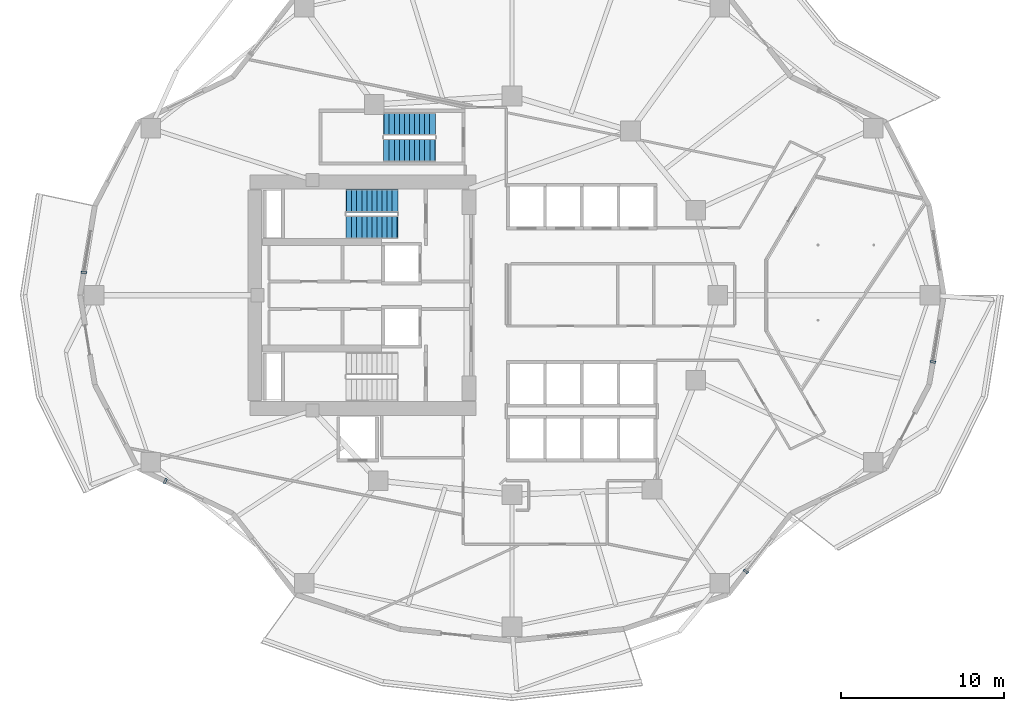
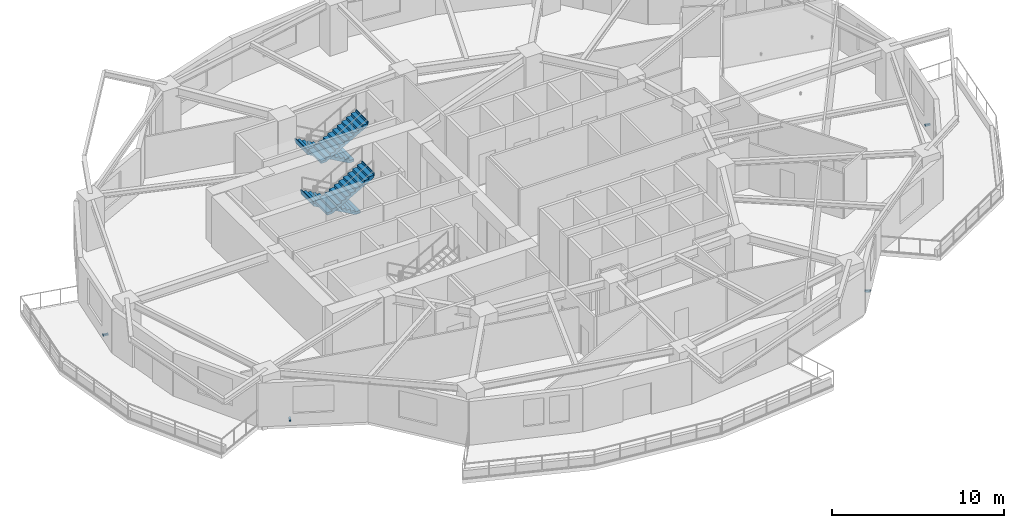
# One storey, part 7 of 14: 4 discrete accessories, 4 stair flights, 2 elements without a shape of their own.
"""IFC4 building model written with IfcOpenShell, lengths in metres."""

from ifc_helpers import new_model, si_unit, direction, frame, origin, origin_2d, place, context, subcontext, project, spatial, polyline, rectangle, outline, extrude, material, type_object, element, aggregate, save


model = new_model("IFC4")

# Units and contexts
model_context = context("Model", 3, precision=1e-05, world=origin(), true_north=direction((0.0, 1.0)))
body_context = subcontext(model_context, "Body", "Model", "MODEL_VIEW")
ifc_project = project(units=[si_unit("LENGTHUNIT", "METRE"), si_unit("AREAUNIT", "SQUARE_METRE"), si_unit("VOLUMEUNIT", "CUBIC_METRE"), si_unit("PLANEANGLEUNIT", "RADIAN"), si_unit("MASSUNIT", "GRAM", prefix="KILO")], contexts=[model_context])

# Site, building, storey
site_placement = place(None, origin())
site = spatial("IfcSite", under=ifc_project, at=site_placement, CompositionType="ELEMENT")
building_placement = place(site_placement, origin())
building = spatial("IfcBuilding", under=site, at=building_placement, Name="Kolvaren Gate Tower and Convention Centre", CompositionType="ELEMENT")
storey_placement = place(building_placement, frame((0.0, 0.0, 57.300048828125)))
storey = spatial("IfcBuildingStorey", under=building, at=storey_placement, Name="L13", CompositionType="ELEMENT", Elevation=57.300048828125)

# Stair, stair flights
ifc_material_1 = material(Name="Concrete C50/60", Category="concrete")
stair_type = type_object("IfcStairType", Name="STR-STAIR-CORE", PredefinedType="HALF_TURN_STAIR", material=ifc_material_1)
stair_1_placement = place(storey_placement, origin())
stair_1 = element("IfcStair", 1, at=stair_1_placement, inside=storey, type_object=stair_type, Name="L13 Tower North Exit Stair ST-T1", PredefinedType="HALF_TURN_STAIR")
stair_flight_type = type_object("IfcStairFlightType", Name="STR-SFL-1420", PredefinedType="STRAIGHT", material=ifc_material_1)
stair_flight_1_placement = place(storey_placement, frame((23.10009765625, 32.7900390625, 0.0), z_axis=(0.0, 0.0, 1.0), x_axis=(-1.0, 0.0, 0.0)))
stair_flight_1 = element("IfcStairFlight", 2, at=stair_flight_1_placement, type_object=stair_flight_type, Name="ST-T1 flight 1", NumberOfRisers=11, NumberOfTreads=10, PredefinedType="STRAIGHT", RiserHeight=0.175, TreadLength=0.31, context=body_context, shape_type="SweptSolid", body=[
    extrude(outline(polyline([(-0.034912109375, 0.0), (-0.034912109375, 0.175048828125), (0.31005859375, 0.175048828125), (0.31005859375, 0.35009765625), (0.6201171875, 0.35009765625), (0.6201171875, 0.52490234375), (0.929931640625, 0.52490234375), (0.929931640625, 0.699951171875), (1.239990234375, 0.699951171875), (1.239990234375, 0.875), (1.550048828125, 0.875), (1.550048828125, 1.050048828125), (1.860107421875, 1.050048828125), (1.860107421875, 1.22509765625), (2.169921875, 1.22509765625), (2.169921875, 1.39990234375), (2.47998046875, 1.39990234375), (2.47998046875, 1.574951171875), (2.7900390625, 1.574951171875), (2.7900390625, 1.75), (3.10009765625, 1.75), (3.10009765625, 1.925048828125), (3.14501953125, 1.925048828125), (3.14501953125, 1.764892578125), (3.10009765625, 1.577880859375), (0.304931640625, 0.0), (-0.034912109375, 0.0)])), frame((0.0, 0.7099609375, 0.0), z_axis=(0.0, -1.0, 0.0), x_axis=(1.0, 0.0, 0.0)), (0.0, 0.0, 1.0), 1.419921875),
])
stair_flight_2_placement = place(storey_placement, frame((20.0, 31.169921875, 1.925048828125), z_axis=(0.0, 0.0, 1.0), x_axis=(1.0, 0.0, 0.0)))
stair_flight_2 = element("IfcStairFlight", 3, at=stair_flight_2_placement, type_object=stair_flight_type, Name="ST-T1 flight 2", NumberOfRisers=11, NumberOfTreads=10, PredefinedType="STRAIGHT", RiserHeight=0.175, TreadLength=0.31, context=body_context, shape_type="SweptSolid", body=[
    extrude(outline(polyline([(-0.034912109375, 0.0), (-0.034912109375, 0.175048828125), (0.31005859375, 0.175048828125), (0.31005859375, 0.35009765625), (0.6201171875, 0.35009765625), (0.6201171875, 0.52490234375), (0.929931640625, 0.52490234375), (0.929931640625, 0.699951171875), (1.239990234375, 0.699951171875), (1.239990234375, 0.875), (1.550048828125, 0.875), (1.550048828125, 1.050048828125), (1.860107421875, 1.050048828125), (1.860107421875, 1.22509765625), (2.169921875, 1.22509765625), (2.169921875, 1.39990234375), (2.47998046875, 1.39990234375), (2.47998046875, 1.574951171875), (2.7900390625, 1.574951171875), (2.7900390625, 1.75), (3.10009765625, 1.75), (3.10009765625, 1.925048828125), (3.14501953125, 1.925048828125), (3.14501953125, 1.764892578125), (3.10009765625, 1.577880859375), (0.304931640625, 0.0), (-0.034912109375, 0.0)])), frame((0.0, 0.7099609375, 0.0), z_axis=(0.0, -1.0, 0.0), x_axis=(1.0, 0.0, 0.0)), (0.0, 0.0, 1.0), 1.419921875),
])
aggregate(stair_1, [stair_flight_1, stair_flight_2])

stair_2_placement = place(storey_placement, origin())
stair_2 = element("IfcStair", 4, at=stair_2_placement, inside=storey, type_object=stair_type, Name="L13 Tower Mid-Zone Exit Stair ST-T3", PredefinedType="HALF_TURN_STAIR")
stair_flight_3_placement = place(storey_placement, frame((25.39990234375, 37.489990234375, 0.0), z_axis=(0.0, 0.0, 1.0), x_axis=(-1.0, 0.0, 0.0)))
stair_flight_3 = element("IfcStairFlight", 5, at=stair_flight_3_placement, type_object=stair_flight_type, Name="ST-T3 flight 1", NumberOfRisers=11, NumberOfTreads=10, PredefinedType="STRAIGHT", RiserHeight=0.175, TreadLength=0.31, context=body_context, shape_type="SweptSolid", body=[
    extrude(outline(polyline([(-0.034912109375, 0.0), (-0.034912109375, 0.175048828125), (0.31005859375, 0.175048828125), (0.31005859375, 0.35009765625), (0.6201171875, 0.35009765625), (0.6201171875, 0.52490234375), (0.929931640625, 0.52490234375), (0.929931640625, 0.699951171875), (1.239990234375, 0.699951171875), (1.239990234375, 0.875), (1.550048828125, 0.875), (1.550048828125, 1.050048828125), (1.860107421875, 1.050048828125), (1.860107421875, 1.22509765625), (2.169921875, 1.22509765625), (2.169921875, 1.39990234375), (2.47998046875, 1.39990234375), (2.47998046875, 1.574951171875), (2.7900390625, 1.574951171875), (2.7900390625, 1.75), (3.10009765625, 1.75), (3.10009765625, 1.925048828125), (3.14501953125, 1.925048828125), (3.14501953125, 1.764892578125), (3.10009765625, 1.577880859375), (0.304931640625, 0.0), (-0.034912109375, 0.0)])), frame((0.0, 0.7099609375, 0.0), z_axis=(0.0, -1.0, 0.0), x_axis=(1.0, 0.0, 0.0)), (0.0, 0.0, 1.0), 1.419921875),
])
stair_flight_4_placement = place(storey_placement, frame((22.300048828125, 35.8701171875, 1.925048828125), z_axis=(0.0, 0.0, 1.0), x_axis=(1.0, 0.0, 0.0)))
stair_flight_4 = element("IfcStairFlight", 6, at=stair_flight_4_placement, type_object=stair_flight_type, Name="ST-T3 flight 2", NumberOfRisers=11, NumberOfTreads=10, PredefinedType="STRAIGHT", RiserHeight=0.175, TreadLength=0.31, context=body_context, shape_type="SweptSolid", body=[
    extrude(outline(polyline([(-0.034912109375, 0.0), (-0.034912109375, 0.175048828125), (0.31005859375, 0.175048828125), (0.31005859375, 0.35009765625), (0.6201171875, 0.35009765625), (0.6201171875, 0.52490234375), (0.929931640625, 0.52490234375), (0.929931640625, 0.699951171875), (1.239990234375, 0.699951171875), (1.239990234375, 0.875), (1.550048828125, 0.875), (1.550048828125, 1.050048828125), (1.860107421875, 1.050048828125), (1.860107421875, 1.22509765625), (2.169921875, 1.22509765625), (2.169921875, 1.39990234375), (2.47998046875, 1.39990234375), (2.47998046875, 1.574951171875), (2.7900390625, 1.574951171875), (2.7900390625, 1.75), (3.10009765625, 1.75), (3.10009765625, 1.925048828125), (3.14501953125, 1.925048828125), (3.14501953125, 1.764892578125), (3.10009765625, 1.577880859375), (0.304931640625, 0.0), (-0.034912109375, 0.0)])), frame((0.0, 0.7099609375, 0.0), z_axis=(0.0, -1.0, 0.0), x_axis=(1.0, 0.0, 0.0)), (0.0, 0.0, 1.0), 1.419921875),
])
aggregate(stair_2, [stair_flight_3, stair_flight_4])

# Discrete accessories
ifc_material_2 = material(Name="Anodized Architectural Aluminium Alloy 6063-T6", Category="aluminium")
discrete_accessory_type = type_object("IfcDiscreteAccessoryType", Name="ARCH-ACC-BRACKET-120", PredefinedType="BRACKET", material=ifc_material_2)
for number, where, z_axis, x_axis, name in (
    (7, (3.9169921875, 28.395263671875, 0.289794921875), (0.0, 0.0, 1.0), (0.162375401515, 0.986729055508, 0.0), "Ceramic Fin Wall Anchor Bracket FBK-L13-11"),
    (8, (8.901611328125, 15.62158203125, 0.289794921875), (0.0, 0.0, 1.0), (0.901357634097, -0.433075530889, 0.0), "Ceramic Fin Wall Anchor Bracket FBK-L13-14"),
    (9, (44.4453125, 10.0908203125, 0.289794921875), (0.0, 0.0, 1.0), (0.616431370541, 0.787408639407, 0.0), "Ceramic Fin Wall Anchor Bracket FBK-L13-20"),
    (10, (55.891357421875, 22.921142578125, 0.289794921875), (0.0, 0.0, 1.0), (0.162375401515, 0.986729055508, 0.0), "Ceramic Fin Wall Anchor Bracket FBK-L13-23"),
):
    element("IfcDiscreteAccessory", number, at=place(storey_placement, frame(where, z_axis=z_axis, x_axis=x_axis)), inside=storey, type_object=discrete_accessory_type, Name=name, PredefinedType="BRACKET", context=body_context, shape_type="SweptSolid", body=[
        extrude(rectangle(XDim=0.1201171875, YDim=0.320068359375, at=origin_2d()), origin(), (0.0, 0.0, 1.0), 0.1201171875),
    ])

save(model, "model.ifc")
